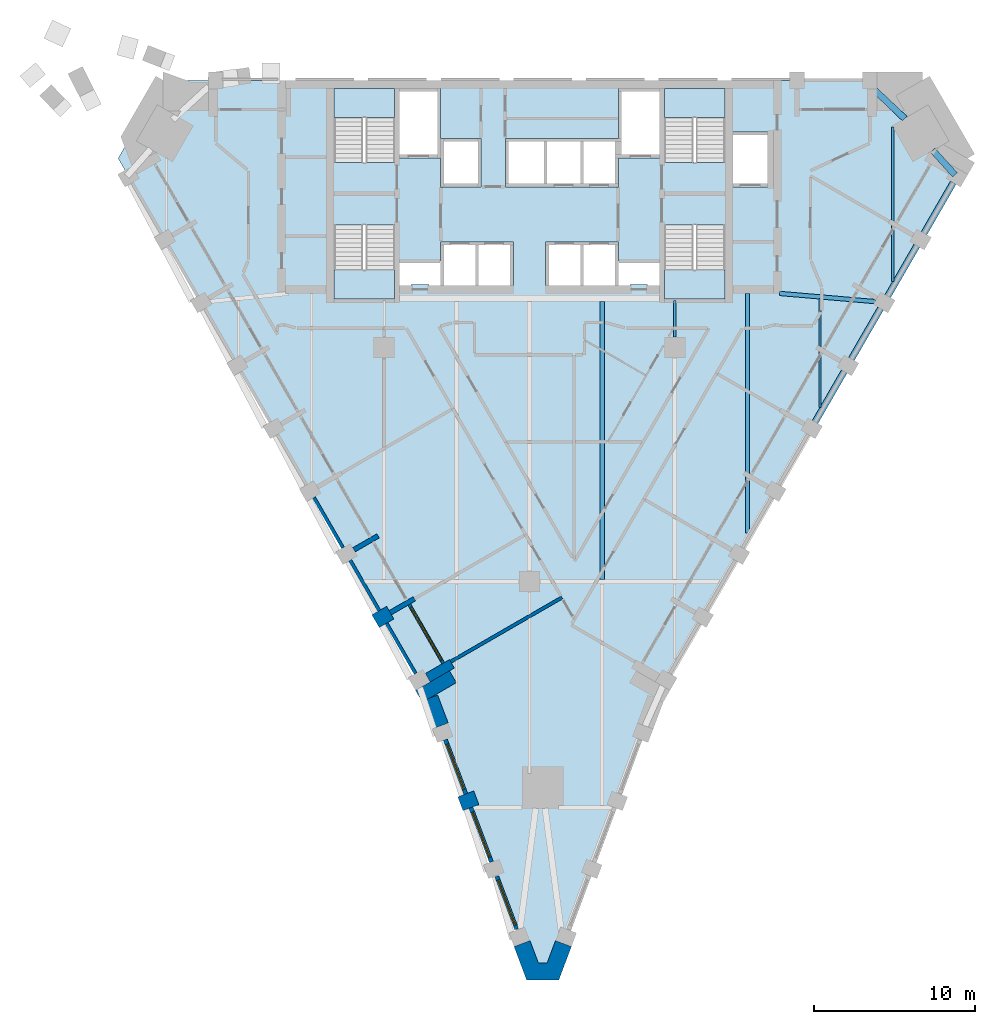
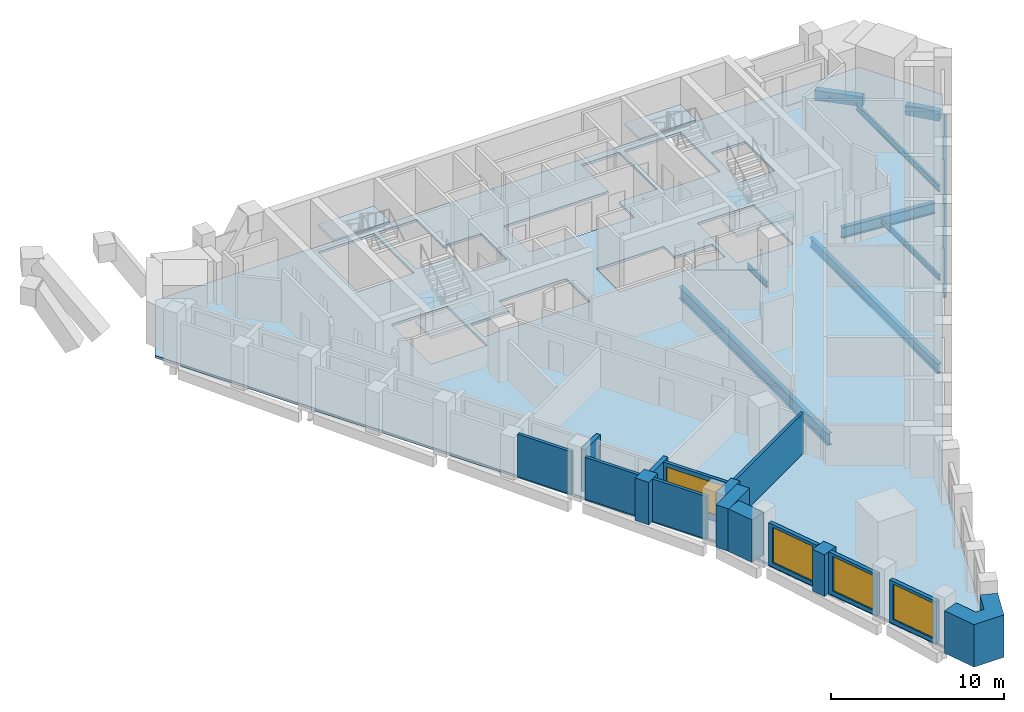
# One storey, part 2 of 10: 16 walls, 10 beams, 5 slabs, 4 windows, 4 openings, 4 elements without a shape of their own.
"""IFC4 building model written with IfcOpenShell, lengths in metres."""

from ifc_helpers import new_model, si_unit, direction, frame, frame_2d, origin, origin_2d, place, context, subcontext, project, spatial, polyline, rectangle, i_section, outline, extrude, material, layer, layer_set, material_profile, profile_set, type_object, element, fill, aggregate, save


model = new_model("IFC4")

# Units and contexts
model_context = context("Model", 3, precision=1e-05, world=origin(), true_north=direction((0.0, 1.0)))
body_context = subcontext(model_context, "Body", "Model", "MODEL_VIEW")
ifc_project = project(units=[si_unit("LENGTHUNIT", "METRE"), si_unit("AREAUNIT", "SQUARE_METRE"), si_unit("VOLUMEUNIT", "CUBIC_METRE"), si_unit("PLANEANGLEUNIT", "RADIAN"), si_unit("MASSUNIT", "GRAM", prefix="KILO")], contexts=[model_context])

# Site, building, storey
site_placement = place(None, origin())
site = spatial("IfcSite", under=ifc_project, at=site_placement, CompositionType="ELEMENT")
building_placement = place(site_placement, origin())
building = spatial("IfcBuilding", under=site, at=building_placement, Name="Calabash Gate Tower", CompositionType="ELEMENT")
storey_placement = place(building_placement, frame((0.0, 0.0, 187.5)))
storey = spatial("IfcBuildingStorey", under=building, at=storey_placement, Name="L44", CompositionType="ELEMENT", Elevation=187.5)

# Beams
ifc_material_1 = material(Name="Concrete C50/60", Category="concrete")
ifc_material_profile_1 = material_profile(ifc_material_1, rectangle(XDim=0.39990234375, YDim=0.699951171875, at=origin_2d()))
ifc_profile_set_1 = profile_set([ifc_material_profile_1], Name="Concrete C50/60")
beam_type_1 = type_object("IfcBeamType", Name="Edge beam RC 400x700 Concrete C50/60", PredefinedType="BEAM", material=ifc_profile_set_1)
beam_1_placement = place(storey_placement, frame((17.48095703125, -2.47802734375, -0.52001953125), z_axis=(0.499991999368, 0.866030022902, 0.0), x_axis=(-0.866030022902, 0.499991999368, 0.0)))
element("IfcBeam", 1, at=beam_1_placement, inside=storey, type_object=beam_type_1, Name="Edge beam L44 13", PredefinedType="BEAM", context=body_context, shape_type="SweptSolid", body=[
    extrude(rectangle(XDim=0.39990234375, YDim=0.699951171875, at=origin_2d()), origin(), (0.0, 0.0, 1.0), 8.546142578125),
])
beam_2_placement = place(storey_placement, frame((21.98095703125, 5.31591796875, -0.52001953125), z_axis=(0.499942523257, 0.866058585455, 0.0), x_axis=(-0.866058585455, 0.499942523257, 0.0)))
element("IfcBeam", 2, at=beam_2_placement, inside=storey, type_object=beam_type_1, Name="Edge beam L44 14", PredefinedType="BEAM", context=body_context, shape_type="SweptSolid", body=[
    extrude(rectangle(XDim=0.39990234375, YDim=0.699951171875, at=origin_2d()), origin(), (0.0, 0.0, 1.0), 8.546875),
])
beam_3_placement = place(storey_placement, frame((26.35400390625, 13.197021484375, -0.52001953125), z_axis=(-0.671618813869, 0.740896867896, 0.0), x_axis=(-0.740896867896, -0.671618813869, 0.0)))
element("IfcBeam", 3, at=beam_3_placement, inside=storey, type_object=beam_type_1, Name="Edge beam L44 15", PredefinedType="BEAM", context=body_context, shape_type="SweptSolid", body=[
    extrude(rectangle(XDim=0.39990234375, YDim=0.699951171875, at=origin_2d()), origin(), (0.0, 0.0, 1.0), 2.065185546875),
])
beam_4_placement = place(storey_placement, frame((23.242919921875, 16.68603515625, -0.52001953125), z_axis=(-0.725726019307, 0.687983826045, 0.0), x_axis=(-0.687983826045, -0.725726019307, 0.0)))
element("IfcBeam", 4, at=beam_4_placement, inside=storey, type_object=beam_type_1, Name="Edge beam L44 16", PredefinedType="BEAM", context=body_context, shape_type="SweptSolid", body=[
    extrude(rectangle(XDim=0.39990234375, YDim=0.699951171875, at=origin_2d()), origin(), (0.0, 0.0, 1.0), 2.859130859375),
])
ifc_material_2 = material(Name="Steel ASTM A992 Gr50", Category="steel")
ifc_material_profile_2 = material_profile(ifc_material_2, i_section(OverallWidth=0.1396484375, OverallDepth=0.398681640625, WebThickness=0.00634765625, FlangeThickness=0.0087890625, FilletRadius=0.01025390625, at=origin_2d()))
ifc_profile_set_2 = profile_set([ifc_material_profile_2], Name="Steel ASTM A992 Gr50")
beam_type_2 = type_object("IfcBeamType", Name="Floor beam W16x26 ASTM A992 Gr50", PredefinedType="BEAM", material=ifc_profile_set_2)
beam_5_placement = place(storey_placement, frame((9.0, 3.14990234375, -0.368896484375), z_axis=(0.0, 1.0, 0.0), x_axis=(-1.0, 0.0, 0.0)))
element("IfcBeam", 5, at=beam_5_placement, inside=storey, type_object=beam_type_2, Name="Floor beam L44 14", PredefinedType="BEAM", context=body_context, shape_type="SweptSolid", body=[
    extrude(i_section(OverallWidth=0.1396484375, OverallDepth=0.398681640625, WebThickness=0.00634765625, FlangeThickness=0.0087890625, FilletRadius=0.01025390625, at=origin_2d()), origin(), (0.0, 0.0, 1.0), 2.253173828125),
])
beam_6_placement = place(storey_placement, frame((18.0, -1.2109375, -0.368896484375), z_axis=(0.0, 1.0, 0.0), x_axis=(-1.0, 0.0, 0.0)))
element("IfcBeam", 6, at=beam_6_placement, inside=storey, type_object=beam_type_2, Name="Floor beam L44 16", PredefinedType="BEAM", context=body_context, shape_type="SweptSolid", body=[
    extrude(i_section(OverallWidth=0.1396484375, OverallDepth=0.398681640625, WebThickness=0.00634765625, FlangeThickness=0.0087890625, FilletRadius=0.01025390625, at=origin_2d()), origin(), (0.0, 0.0, 1.0), 6.739013671875),
])
ifc_material_3 = material(Name="Steel ASTM A992 Gr50", Category="steel")
ifc_material_profile_3 = material_profile(ifc_material_3, i_section(OverallWidth=0.15234375, OverallDepth=0.44970703125, WebThickness=0.007568359375, FlangeThickness=0.0107421875, FilletRadius=0.01025390625, at=origin_2d()))
ifc_profile_set_3 = profile_set([ifc_material_profile_3], Name="Steel ASTM A992 Gr50")
beam_type_3 = type_object("IfcBeamType", Name="Floor beam W18x35 ASTM A992 Gr50", PredefinedType="BEAM", material=ifc_profile_set_3)
beam_7_placement = place(storey_placement, frame((22.5, 6.60302734375, -0.39306640625), z_axis=(0.0, 1.0, 0.0), x_axis=(-1.0, 0.0, 0.0)))
element("IfcBeam", 7, at=beam_7_placement, inside=storey, type_object=beam_type_3, Name="Floor beam L44 17", PredefinedType="BEAM", context=body_context, shape_type="SweptSolid", body=[
    extrude(i_section(OverallWidth=0.15234375, OverallDepth=0.44970703125, WebThickness=0.007568359375, FlangeThickness=0.0107421875, FilletRadius=0.01025390625, at=origin_2d()), origin(), (0.0, 0.0, 1.0), 9.573974609375),
])
ifc_material_4 = material(Name="Steel ASTM A992 Gr50", Category="steel")
ifc_material_profile_4 = material_profile(ifc_material_4, i_section(OverallWidth=0.25390625, OverallDepth=0.67822265625, WebThickness=0.01171875, FlangeThickness=0.016357421875, FilletRadius=0.01513671875, at=origin_2d()))
ifc_profile_set_4 = profile_set([ifc_material_profile_4], Name="Steel ASTM A992 Gr50")
beam_type_4 = type_object("IfcBeamType", Name="Floor beam W27x84 ASTM A992 Gr50", PredefinedType="BEAM", material=ifc_profile_set_4)
beam_8_placement = place(storey_placement, frame((13.5, -8.98291015625, -0.509033203125), z_axis=(0.0, 1.0, 0.0), x_axis=(-1.0, 0.0, 0.0)))
element("IfcBeam", 8, at=beam_8_placement, inside=storey, type_object=beam_type_4, Name="Floor beam L44 15", PredefinedType="BEAM", context=body_context, shape_type="SweptSolid", body=[
    extrude(i_section(OverallWidth=0.25390625, OverallDepth=0.67822265625, WebThickness=0.01171875, FlangeThickness=0.016357421875, FilletRadius=0.01513671875, at=origin_2d()), origin(), (0.0, 0.0, 1.0), 14.8359375),
])
ifc_material_5 = material(Name="Steel ASTM A992 Gr50", Category="steel")
ifc_material_profile_5 = material_profile(ifc_material_5, i_section(OverallWidth=0.2919921875, OverallDepth=0.845703125, WebThickness=0.015380859375, FlangeThickness=0.0244140625, FilletRadius=0.017822265625, at=origin_2d()))
ifc_profile_set_5 = profile_set([ifc_material_profile_5], Name="Steel ASTM A992 Gr50")
beam_type_5 = type_object("IfcBeamType", Name="Floor beam W33x141 ASTM A992 Gr50", PredefinedType="BEAM", material=ifc_profile_set_5)
beam_9_placement = place(storey_placement, frame((4.5, -11.866943359375, -0.593017578125), z_axis=(0.0, 1.0, 0.0), x_axis=(-1.0, 0.0, 0.0)))
element("IfcBeam", 9, at=beam_9_placement, inside=storey, type_object=beam_type_5, Name="Floor beam L44 11", PredefinedType="BEAM", context=body_context, shape_type="SweptSolid", body=[
    extrude(i_section(OverallWidth=0.2919921875, OverallDepth=0.845703125, WebThickness=0.015380859375, FlangeThickness=0.0244140625, FilletRadius=0.017822265625, at=origin_2d()), origin(), (0.0, 0.0, 1.0), 17.218994140625),
])
ifc_material_6 = material(Name="Steel ASTM A992 Gr50", Category="steel")
ifc_material_profile_6 = material_profile(ifc_material_6, i_section(OverallWidth=0.2666015625, OverallDepth=0.77978515625, WebThickness=0.0166015625, FlangeThickness=0.030029296875, FilletRadius=0.0166015625, at=origin_2d()))
ifc_profile_set_6 = profile_set([ifc_material_profile_6], Name="Steel ASTM A992 Gr50")
beam_type_6 = type_object("IfcBeamType", Name="Girder W30x148 ASTM A992 Gr50", PredefinedType="BEAM", material=ifc_profile_set_6)
beam_10_placement = place(storey_placement, frame((21.426025390625, 5.346923828125, -0.56005859375), z_axis=(-0.996372402391, 0.085100151319, 0.0), x_axis=(-0.085100151319, -0.996372402391, 0.0)))
element("IfcBeam", 10, at=beam_10_placement, inside=storey, type_object=beam_type_6, Name="Girder L44 3", PredefinedType="BEAM", context=body_context, shape_type="SweptSolid", body=[
    extrude(i_section(OverallWidth=0.2666015625, OverallDepth=0.77978515625, WebThickness=0.0166015625, FlangeThickness=0.030029296875, FilletRadius=0.0166015625, at=origin_2d()), origin(), (0.0, 0.0, 1.0), 5.958740234375),
])

# Slab
ifc_material_7 = material(Name="Concrete C40/50", Category="concrete")
ifc_layer_1 = layer(ifc_material_7, 0.169921875)
ifc_layer_set_1 = layer_set([ifc_layer_1], Name="Composite floor slab 170 Concrete C40/50")
slab_type_1 = type_object("IfcSlabType", Name="Composite floor slab 170 Concrete C40/50", PredefinedType="FLOOR", material=ifc_layer_set_1)
slab_1_placement = place(storey_placement, frame((0.0, 0.0, -0.169921875)))
element("IfcSlab", 11, at=slab_1_placement, inside=storey, type_object=slab_type_1, Name="Floor slab L44", PredefinedType="FLOOR", context=body_context, shape_type="SweptSolid", body=[
    extrude(outline(polyline([(-22.68798828125, 19.052490234375), (24.33154296875, 19.052490234375), (27.12158203125, 14.22021484375), (7.82177734375, -19.207763671875), (1.455078125, -36.147216796875), (0.1884765625, -36.147216796875), (-6.17822265625, -19.207763671875), (-25.477783203125, 14.22021484375), (-22.68798828125, 19.052490234375)]), holes=[polyline([(-3.25, 9.052490234375), (-5.5, 9.052490234375), (-5.5, 7.8525390625), (-8.050048828125, 7.8525390625), (-8.050048828125, 6.3525390625), (-7.324951171875, 6.3525390625), (-7.324951171875, 6.402587890625), (-6.22509765625, 6.402587890625), (-6.22509765625, 6.3525390625), (-5.5, 6.3525390625), (-3.25, 6.3525390625), (-1.0, 6.3525390625), (-1.0, 9.052490234375), (-3.25, 9.052490234375)]), polyline([(5.5, 6.3525390625), (6.22509765625, 6.3525390625), (6.22509765625, 6.402587890625), (7.324951171875, 6.402587890625), (7.324951171875, 6.3525390625), (8.050048828125, 6.3525390625), (8.050048828125, 7.8525390625), (5.5, 7.8525390625), (5.5, 9.052490234375), (3.25, 9.052490234375), (1.0, 9.052490234375), (1.0, 6.3525390625), (3.25, 6.3525390625), (5.5, 6.3525390625)]), polyline([(-5.5, 12.45263671875), (-3.0, 12.45263671875), (-3.0, 15.45263671875), (-5.5, 15.45263671875), (-5.5, 18.552490234375), (-8.050048828125, 18.552490234375), (-8.050048828125, 14.252685546875), (-5.5, 14.252685546875), (-5.5, 12.45263671875)]), polyline([(-1.5, 15.45263671875), (-1.5, 12.45263671875), (1.0, 12.45263671875), (3.25, 12.45263671875), (5.5, 12.45263671875), (5.5, 14.252685546875), (8.050048828125, 14.252685546875), (8.050048828125, 18.552490234375), (5.5, 18.552490234375), (5.5, 15.45263671875), (3.25, 15.45263671875), (1.0, 15.45263671875), (-1.5, 15.45263671875)]), polyline([(14.85009765625, 15.8525390625), (12.60009765625, 15.8525390625), (12.60009765625, 12.45263671875), (14.85009765625, 12.45263671875), (14.85009765625, 15.8525390625)]), polyline([(-8.35009765625, 18.552490234375), (-12.10009765625, 18.552490234375), (-12.10009765625, 13.95263671875), (-8.35009765625, 13.95263671875), (-8.35009765625, 18.552490234375)]), polyline([(-12.10009765625, 10.1025390625), (-12.10009765625, 5.502685546875), (-8.35009765625, 5.502685546875), (-8.35009765625, 10.1025390625), (-12.10009765625, 10.1025390625)]), polyline([(8.35009765625, 13.95263671875), (12.10009765625, 13.95263671875), (12.10009765625, 18.552490234375), (8.35009765625, 18.552490234375), (8.35009765625, 13.95263671875)]), polyline([(12.10009765625, 5.502685546875), (12.10009765625, 10.1025390625), (8.35009765625, 10.1025390625), (8.35009765625, 5.502685546875), (12.10009765625, 5.502685546875)])]), origin(), (0.0, 0.0, 1.0), 0.169921875),
])

# Stair, slab
ifc_material_8 = material(Name="Concrete C40/50", Category="concrete")
stair_type = type_object("IfcStairType", Name="Exit stair 22 risers of 177.3 mm", PredefinedType="HALF_TURN_STAIR", material=ifc_material_8)
stair_1_placement = place(storey_placement, origin())
stair_1 = element("IfcStair", 12, at=stair_1_placement, inside=storey, type_object=stair_type, Name="L44 Exit stair ST1", PredefinedType="HALF_TURN_STAIR")
ifc_material_9 = material(Name="Concrete C40/50", Category="concrete")
ifc_layer_2 = layer(ifc_material_9, 0.199951171875)
ifc_layer_set_2 = layer_set([ifc_layer_2], Name="Stair landing SL200")
slab_type_2 = type_object("IfcSlabType", Name="Stair landing SL200", PredefinedType="LANDING", material=ifc_layer_set_2)
slab_2_placement = place(storey_placement, frame((0.0, 0.0, 1.75)))
slab_2 = element("IfcSlab", 13, at=slab_2_placement, type_object=slab_type_2, Name="ST1 landing 1", PredefinedType="LANDING", context=body_context, shape_type="SweptSolid", body=[
    extrude(outline(polyline([(-8.35009765625, 16.74267578125), (-8.35009765625, 18.552490234375), (-12.10009765625, 18.552490234375), (-12.10009765625, 16.74267578125), (-8.35009765625, 16.74267578125)])), origin(), (0.0, 0.0, 1.0), 0.199951171875),
])
aggregate(stair_1, [slab_2])

stair_2_placement = place(storey_placement, origin())
stair_2 = element("IfcStair", 14, at=stair_2_placement, inside=storey, type_object=stair_type, Name="L44 Exit stair ST2", PredefinedType="HALF_TURN_STAIR")
slab_3_placement = place(storey_placement, frame((0.0, 0.0, 1.75)))
slab_3 = element("IfcSlab", 15, at=slab_3_placement, type_object=slab_type_2, Name="ST2 landing 1", PredefinedType="LANDING", context=body_context, shape_type="SweptSolid", body=[
    extrude(outline(polyline([(-12.10009765625, 7.3125), (-12.10009765625, 5.502685546875), (-8.35009765625, 5.502685546875), (-8.35009765625, 7.3125), (-12.10009765625, 7.3125)])), origin(), (0.0, 0.0, 1.0), 0.199951171875),
])
aggregate(stair_2, [slab_3])

stair_3_placement = place(storey_placement, origin())
stair_3 = element("IfcStair", 16, at=stair_3_placement, inside=storey, type_object=stair_type, Name="L44 Exit stair ST3", PredefinedType="HALF_TURN_STAIR")
slab_4_placement = place(storey_placement, frame((0.0, 0.0, 1.75)))
slab_4 = element("IfcSlab", 17, at=slab_4_placement, type_object=slab_type_2, Name="ST3 landing 1", PredefinedType="LANDING", context=body_context, shape_type="SweptSolid", body=[
    extrude(outline(polyline([(12.10009765625, 16.74267578125), (12.10009765625, 18.552490234375), (8.35009765625, 18.552490234375), (8.35009765625, 16.74267578125), (12.10009765625, 16.74267578125)])), origin(), (0.0, 0.0, 1.0), 0.199951171875),
])
aggregate(stair_3, [slab_4])

stair_4_placement = place(storey_placement, origin())
stair_4 = element("IfcStair", 18, at=stair_4_placement, inside=storey, type_object=stair_type, Name="L44 Exit stair ST4", PredefinedType="HALF_TURN_STAIR")
slab_5_placement = place(storey_placement, frame((0.0, 0.0, 1.75)))
slab_5 = element("IfcSlab", 19, at=slab_5_placement, type_object=slab_type_2, Name="ST4 landing 1", PredefinedType="LANDING", context=body_context, shape_type="SweptSolid", body=[
    extrude(outline(polyline([(8.35009765625, 7.3125), (8.35009765625, 5.502685546875), (12.10009765625, 5.502685546875), (12.10009765625, 7.3125), (8.35009765625, 7.3125)])), origin(), (0.0, 0.0, 1.0), 0.199951171875),
])
aggregate(stair_4, [slab_5])

# Walls
ifc_material_10 = material(Name="Terracotta brick masonry, exposed face", Category="masonry")
ifc_layer_3 = layer(ifc_material_10, 2.425048828125)
ifc_layer_set_3 = layer_set([ifc_layer_3], Name="Brick corner mass wall 2425")
wall_type_1 = type_object("IfcWallType", Name="Brick corner mass wall 2425", PredefinedType="SOLIDWALL", material=ifc_layer_set_3)
wall_1_placement = place(storey_placement, frame((-6.84521484375, -19.102294921875, 0.0), z_axis=(0.0, 0.0, 1.0), x_axis=(0.866041403502, 0.499972286653, 0.0)))
element("IfcWall", 20, at=wall_1_placement, inside=storey, type_object=wall_type_1, Name="Brick corner pier S12 1", PredefinedType="SOLIDWALL", context=body_context, shape_type="SweptSolid", body=[
    extrude(rectangle(XDim=2.425048828125, YDim=0.849609375, at=frame_2d((1.21240234375, 0.0))), origin(), (0.0, 0.0, 1.0), 3.0),
])
ifc_material_11 = material(Name="Terracotta brick masonry, exposed face", Category="masonry")
ifc_layer_4 = layer(ifc_material_11, 1.050048828125)
ifc_layer_set_4 = layer_set([ifc_layer_4], Name="Brick end wall 1050")
wall_type_2 = type_object("IfcWallType", Name="Brick end wall 1050", PredefinedType="SOLIDWALL", material=ifc_layer_set_4)
wall_2_placement = place(storey_placement, frame((-8.623291015625, -13.922607421875, 0.0), z_axis=(0.0, 0.0, 1.0), x_axis=(-0.866088799389, -0.499890179513, 0.0)))
element("IfcWall", 21, at=wall_2_placement, inside=storey, type_object=wall_type_2, Name="Brick pier S12 SW0.7", PredefinedType="SOLIDWALL", context=body_context, shape_type="SweptSolid", body=[
    extrude(rectangle(XDim=1.050048828125, YDim=0.89990234375, at=frame_2d((0.52490234375, 0.0))), origin(), (0.0, 0.0, 1.0), 3.0),
])
wall_3_placement = place(storey_placement, frame((-3.294921875, -25.38671875, 0.0), z_axis=(0.0, 0.0, 1.0), x_axis=(-0.936080509118, -0.351785844584, 0.0)))
element("IfcWall", 22, at=wall_3_placement, inside=storey, type_object=wall_type_2, Name="Brick pier S12 wedge1.1", PredefinedType="SOLIDWALL", context=body_context, shape_type="SweptSolid", body=[
    extrude(rectangle(XDim=1.050048828125, YDim=0.89990234375, at=frame_2d((0.52490234375, 0.0))), origin(), (0.0, 0.0, 1.0), 2.9501953125),
])
wall_4_placement = place(storey_placement, origin())
element("IfcWall", 23, at=wall_4_placement, inside=storey, type_object=wall_type_2, Name="Brick end wall S12 1", PredefinedType="SOLIDWALL", context=body_context, shape_type="SweptSolid", body=[
    extrude(outline(polyline([(-5.036376953125, -20.753173828125), (-5.686767578125, -19.023193359375), (-6.17822265625, -19.207763671875), (-6.6328125, -19.47021484375), (-6.654296875, -19.432861328125), (-6.01953125, -21.122314453125), (-5.036865234375, -20.753173828125), (-5.036865234375, -20.753173828125), (-5.036376953125, -20.753173828125)])), origin(), (0.0, 0.0, 1.0), 3.0),
])
wall_5_placement = place(storey_placement, origin())
element("IfcWall", 24, at=wall_5_placement, inside=storey, type_object=wall_type_2, Name="Brick end wall S12 2", PredefinedType="SOLIDWALL", context=body_context, shape_type="SweptSolid", body=[
    extrude(outline(polyline([(0.552001953125, -35.622314453125), (0.02978515625, -34.232421875), (-0.953125, -34.60205078125), (-0.175048828125, -36.67236328125), (1.818603515625, -36.67236328125), (2.596923828125, -34.601806640625), (1.614013671875, -34.232421875), (1.091552734375, -35.622314453125), (0.552001953125, -35.622314453125)])), origin(), (0.0, 0.0, 1.0), 3.0),
])
ifc_material_12 = material(Name="Terracotta brick masonry, exposed face", Category="masonry")
ifc_layer_5 = layer(ifc_material_12, 0.300048828125)
ifc_layer_set_5 = layer_set([ifc_layer_5], Name="Brick loggia cheek wall 300")
wall_type_3 = type_object("IfcWallType", Name="Brick loggia cheek wall 300", PredefinedType="SOLIDWALL", material=ifc_layer_set_5)
wall_6_placement = place(storey_placement, frame((-9.37939453125, -9.1630859375, 0.0), z_axis=(0.0, 0.0, 1.0), x_axis=(-0.866074815912, -0.499914405916, 0.0)))
element("IfcWall", 25, at=wall_6_placement, inside=storey, type_object=wall_type_3, Name="Loggia cheek S12 SW0.6", PredefinedType="SOLIDWALL", context=body_context, shape_type="SweptSolid", body=[
    extrude(rectangle(XDim=1.724853515625, YDim=0.300048828125, at=frame_2d((0.8623046875, 0.0))), origin(), (0.0, 0.0, 1.0), 3.0),
])
wall_7_placement = place(storey_placement, frame((-8.623291015625, -13.922607421875, 0.0), z_axis=(0.0, 0.0, 1.0), x_axis=(0.866013532718, 0.500020560727, 0.0)))
element("IfcWall", 26, at=wall_7_placement, inside=storey, type_object=wall_type_3, Name="Loggia cheek S12 SW0.7", PredefinedType="SOLIDWALL", context=body_context, shape_type="SweptSolid", body=[
    extrude(rectangle(XDim=1.72509765625, YDim=0.300048828125, at=frame_2d((0.862548828125, 0.0))), origin(), (0.0, 0.0, 1.0), 3.0),
])
wall_8_placement = place(storey_placement, frame((-4.804443359375, -17.087158203125, 0.0), z_axis=(0.0, 0.0, 1.0), x_axis=(-0.866013532718, -0.500020560727, 0.0)))
element("IfcWall", 27, at=wall_8_placement, inside=storey, type_object=wall_type_3, Name="Loggia cheek S12 SW0.8", PredefinedType="SOLIDWALL", context=body_context, shape_type="SweptSolid", body=[
    extrude(rectangle(XDim=1.72509765625, YDim=0.60009765625, at=frame_2d((0.862548828125, 0.0))), origin(), (0.0, 0.0, 1.0), 3.0),
])
ifc_material_13 = material(Name="Gypsum board on steel studs, mineral wool", Category="steel")
ifc_layer_6 = layer(ifc_material_13, 0.199951171875)
ifc_layer_set_6 = layer_set([ifc_layer_6], Name="Partition 200 gypsum board EI 60")
wall_type_4 = type_object("IfcWallType", Name="Partition 200 gypsum board EI 60", PredefinedType="PARTITIONING", material=ifc_layer_set_6)
wall_9_placement = place(storey_placement, frame((-4.879150390625, -16.957763671875, 0.0), z_axis=(0.0, 0.0, 1.0), x_axis=(0.866110929286, 0.499851836219, 0.0)))
element("IfcWall", 28, at=wall_9_placement, inside=storey, type_object=wall_type_4, Name="Partition", PredefinedType="PARTITIONING", context=body_context, shape_type="SweptSolid", body=[
    extrude(rectangle(XDim=7.94970703125, YDim=0.199951171875, at=frame_2d((3.974853515625, 0.0))), origin(), (0.0, 0.0, 1.0), 2.884033203125),
])

# Wall, opening, window
ifc_material_14 = material(Name="Aluminium framed window wall with insulated spandrel", Category="aluminium")
ifc_layer_7 = layer(ifc_material_14, 0.25)
ifc_layer_set_7 = layer_set([ifc_layer_7], Name="Prow window wall 250")
wall_type_5 = type_object("IfcWallType", Name="Prow window wall 250", PredefinedType="ELEMENTEDWALL", material=ifc_layer_set_7)
wall_10_placement = place(storey_placement, frame((-5.211181640625, -21.7802734375, 0.0), z_axis=(0.0, 0.0, 1.0), x_axis=(0.351769947693, -0.936086483131, 0.0)))
wall_10 = element("IfcWall", 29, at=wall_10_placement, inside=storey, type_object=wall_type_5, Name="Prow window wall S12 wedge1.1", PredefinedType="ELEMENTEDWALL", context=body_context, shape_type="SweptSolid", body=[
    extrude(rectangle(XDim=3.599853515625, YDim=0.25, at=frame_2d((1.7998046875, 0.0))), origin(), (0.0, 0.0, 1.0), 3.0),
])
opening_1_placement = place(wall_10_placement, frame((0.300048828125, 0.0, 0.300048828125)))
opening_1 = element("IfcOpeningElement", 30, at=opening_1_placement, cuts=wall_10, Name="Opening WP2", PredefinedType="OPENING", context=body_context, shape_type="SweptSolid", body=[
    extrude(rectangle(XDim=3.0, YDim=2.5, at=frame_2d((1.5, 1.25))), frame((0.0, 0.135009765625, 0.0), z_axis=(0.0, -1.0, 0.0), x_axis=(1.0, 0.0, 0.0)), (0.0, 0.0, 1.0), 0.27001953125),
])
ifc_material_15 = material(Name="Anodised aluminium frame, bronze finish, impact-rated laminated clear glazing", Category="aluminium")
window_type_1 = type_object("IfcWindowType", Name="Window WP2 3000x2500", PartitioningType="DOUBLE_PANEL_VERTICAL", PredefinedType="WINDOW", material=ifc_material_15)
window_1_placement = place(opening_1_placement, origin())
window_1 = element("IfcWindow", 31, at=window_1_placement, inside=storey, type_object=window_type_1, Name="Prow window WP2 S12 wedge1.1", OverallHeight=2.5, OverallWidth=3.0, PartitioningType="SINGLE_PANEL", PredefinedType="WINDOW", context=body_context, shape_type="SweptSolid", body=[
    extrude(rectangle(XDim=3.0, YDim=2.5, at=frame_2d((1.5, 1.25))), frame((0.0, 0.030029296875, 0.0), z_axis=(0.0, -1.0, 0.0), x_axis=(1.0, 0.0, 0.0)), (0.0, 0.0, 1.0), 0.06005859375),
])
fill(opening_1, window_1)

wall_11_placement = place(storey_placement, frame((-3.628173828125, -25.99267578125, 0.0), z_axis=(0.0, 0.0, 1.0), x_axis=(0.351829371284, -0.936064150314, 0.0)))
wall_11 = element("IfcWall", 32, at=wall_11_placement, inside=storey, type_object=wall_type_5, Name="Prow window wall S12 wedge1.2", PredefinedType="ELEMENTEDWALL", context=body_context, shape_type="SweptSolid", body=[
    extrude(rectangle(XDim=3.60009765625, YDim=0.25, at=frame_2d((1.800048828125, 0.0))), origin(), (0.0, 0.0, 1.0), 2.9501953125),
])
opening_2_placement = place(wall_11_placement, frame((0.300048828125, 0.0, 0.300048828125)))
opening_2 = element("IfcOpeningElement", 33, at=opening_2_placement, cuts=wall_11, Name="Opening WP2L-2450", PredefinedType="OPENING", context=body_context, shape_type="SweptSolid", body=[
    extrude(rectangle(XDim=3.0, YDim=2.449951171875, at=frame_2d((1.5, 1.22509765625))), frame((0.0, 0.135009765625, 0.0), z_axis=(0.0, -1.0, 0.0), x_axis=(1.0, 0.0, 0.0)), (0.0, 0.0, 1.0), 0.27001953125),
])
ifc_material_16 = material(Name="Anodised aluminium frame, bronze finish, impact-rated laminated clear glazing", Category="aluminium")
window_type_2 = type_object("IfcWindowType", Name="Window WP2L 3000x2450", PartitioningType="DOUBLE_PANEL_VERTICAL", PredefinedType="WINDOW", material=ifc_material_16)
window_2_placement = place(opening_2_placement, origin())
window_2 = element("IfcWindow", 34, at=window_2_placement, inside=storey, type_object=window_type_2, Name="Prow window WP2L S12 wedge1.2", OverallHeight=2.449951171875, OverallWidth=3.0, PartitioningType="SINGLE_PANEL", PredefinedType="WINDOW", context=body_context, shape_type="SweptSolid", body=[
    extrude(rectangle(XDim=3.0, YDim=2.449951171875, at=frame_2d((1.5, 1.22509765625))), frame((0.0, 0.030029296875, 0.0), z_axis=(0.0, -1.0, 0.0), x_axis=(1.0, 0.0, 0.0)), (0.0, 0.0, 1.0), 0.06005859375),
])
fill(opening_2, window_2)

wall_12_placement = place(storey_placement, frame((-2.02734375, -30.251708984375, 0.0), z_axis=(0.0, 0.0, 1.0), x_axis=(0.351849563443, -0.936056560634, 0.0)))
wall_12 = element("IfcWall", 35, at=wall_12_placement, inside=storey, type_object=wall_type_5, Name="Prow window wall S12 wedge1.3", PredefinedType="ELEMENTEDWALL", context=body_context, shape_type="SweptSolid", body=[
    extrude(rectangle(XDim=3.5, YDim=0.25, at=frame_2d((1.75, 0.0))), origin(), (0.0, 0.0, 1.0), 3.0),
])
opening_3_placement = place(wall_12_placement, frame((0.25, 0.0, 0.300048828125)))
opening_3 = element("IfcOpeningElement", 36, at=opening_3_placement, cuts=wall_12, Name="Opening WP2", PredefinedType="OPENING", context=body_context, shape_type="SweptSolid", body=[
    extrude(rectangle(XDim=3.0, YDim=2.5, at=frame_2d((1.5, 1.25))), frame((0.0, 0.135009765625, 0.0), z_axis=(0.0, -1.0, 0.0), x_axis=(1.0, 0.0, 0.0)), (0.0, 0.0, 1.0), 0.27001953125),
])
window_3_placement = place(opening_3_placement, origin())
window_3 = element("IfcWindow", 37, at=window_3_placement, inside=storey, type_object=window_type_1, Name="Prow window WP2 S12 wedge1.3", OverallHeight=2.5, OverallWidth=3.0, PartitioningType="SINGLE_PANEL", PredefinedType="WINDOW", context=body_context, shape_type="SweptSolid", body=[
    extrude(rectangle(XDim=3.0, YDim=2.5, at=frame_2d((1.5, 1.25))), frame((0.0, 0.030029296875, 0.0), z_axis=(0.0, -1.0, 0.0), x_axis=(1.0, 0.0, 0.0)), (0.0, 0.0, 1.0), 0.06005859375),
])
fill(opening_3, window_3)

# Walls
ifc_material_17 = material(Name="Terracotta brick masonry, perforated", Category="masonry")
ifc_layer_8 = layer(ifc_material_17, 0.199951171875)
ifc_layer_set_8 = layer_set([ifc_layer_8], Name="Terracotta jaali screen B")
wall_type_6 = type_object("IfcWallType", Name="Terracotta jaali screen B", PredefinedType="SOLIDWALL", material=ifc_layer_set_8)
wall_13_placement = place(storey_placement, frame((-13.35302734375, -6.780517578125, 0.0), z_axis=(0.0, 0.0, 1.0), x_axis=(0.500012057535, -0.866018442252, 0.0)))
element("IfcWall", 38, at=wall_13_placement, inside=storey, type_object=wall_type_6, Name="SCREEN B S12 SW0.6", PredefinedType="SOLIDWALL", context=body_context, shape_type="SweptSolid", body=[
    extrude(rectangle(XDim=3.60009765625, YDim=0.199951171875, at=frame_2d((1.800048828125, 0.0))), origin(), (0.0, 0.0, 1.0), 3.0),
])
wall_14_placement = place(storey_placement, frame((-11.10302734375, -10.677734375, 0.0), z_axis=(0.0, 0.0, 1.0), x_axis=(0.500012057535, -0.866018442252, 0.0)))
element("IfcWall", 39, at=wall_14_placement, inside=storey, type_object=wall_type_6, Name="SCREEN B S12 SW0.7", PredefinedType="SOLIDWALL", context=body_context, shape_type="SweptSolid", body=[
    extrude(rectangle(XDim=3.60009765625, YDim=0.199951171875, at=frame_2d((1.800048828125, 0.0))), origin(), (0.0, 0.0, 1.0), 2.9501953125),
])
wall_15_placement = place(storey_placement, frame((-8.85302734375, -14.574951171875, 0.0), z_axis=(0.0, 0.0, 1.0), x_axis=(0.500012057535, -0.866018442252, 0.0)))
element("IfcWall", 40, at=wall_15_placement, inside=storey, type_object=wall_type_6, Name="SCREEN B S12 SW0.8", PredefinedType="SOLIDWALL", context=body_context, shape_type="SweptSolid", body=[
    extrude(rectangle(XDim=3.60009765625, YDim=0.199951171875, at=frame_2d((1.800048828125, 0.0))), origin(), (0.0, 0.0, 1.0), 3.0),
])

# Wall, opening, window
ifc_material_18 = material(Name="Aluminium framed window wall with insulated spandrel", Category="aluminium")
ifc_layer_9 = layer(ifc_material_18, 0.199951171875)
ifc_layer_set_9 = layer_set([ifc_layer_9], Name="Window wall 200")
wall_type_7 = type_object("IfcWallType", Name="Window wall 200", PredefinedType="ELEMENTEDWALL", material=ifc_layer_set_9)
wall_16_placement = place(storey_placement, frame((-7.444091796875, -13.4150390625, 0.0), z_axis=(0.0, 0.0, 1.0), x_axis=(0.49998411664, -0.866034573852, 0.0)))
wall_16 = element("IfcWall", 41, at=wall_16_placement, inside=storey, type_object=wall_type_7, Name="Window wall S12 SW0.8", PredefinedType="ELEMENTEDWALL", context=body_context, shape_type="SweptSolid", body=[
    extrude(rectangle(XDim=4.199951171875, YDim=0.199951171875, at=frame_2d((2.10009765625, 0.0))), origin(), (0.0, 0.0, 1.0), 3.0),
])
opening_4_placement = place(wall_16_placement, frame((0.199951171875, 0.0, 0.449951171875)))
opening_4 = element("IfcOpeningElement", 42, at=opening_4_placement, cuts=wall_16, Name="Opening OW2", PredefinedType="OPENING", context=body_context, shape_type="SweptSolid", body=[
    extrude(rectangle(XDim=3.800048828125, YDim=2.25, at=frame_2d((1.89990234375, 1.125))), frame((0.0, 0.10986328125, 0.0), z_axis=(0.0, -1.0, 0.0), x_axis=(1.0, 0.0, 0.0)), (0.0, 0.0, 1.0), 0.219970703125),
])
ifc_material_19 = material(Name="Anodised aluminium frame, bronze finish, impact-rated laminated clear glazing", Category="aluminium")
window_type_3 = type_object("IfcWindowType", Name="Window OW2 3800x2250", PartitioningType="TRIPLE_PANEL_VERTICAL", PredefinedType="WINDOW", material=ifc_material_19)
window_4_placement = place(opening_4_placement, origin())
window_4 = element("IfcWindow", 43, at=window_4_placement, inside=storey, type_object=window_type_3, Name="Window OW2 S12 SW0.8", OverallHeight=2.25, OverallWidth=3.800048828125, PartitioningType="SINGLE_PANEL", PredefinedType="WINDOW", context=body_context, shape_type="SweptSolid", body=[
    extrude(rectangle(XDim=3.800048828125, YDim=2.25, at=frame_2d((1.89990234375, 1.125))), frame((0.0, 0.030029296875, 0.0), z_axis=(0.0, -1.0, 0.0), x_axis=(1.0, 0.0, 0.0)), (0.0, 0.0, 1.0), 0.06005859375),
])
fill(opening_4, window_4)

save(model, "model.ifc")
